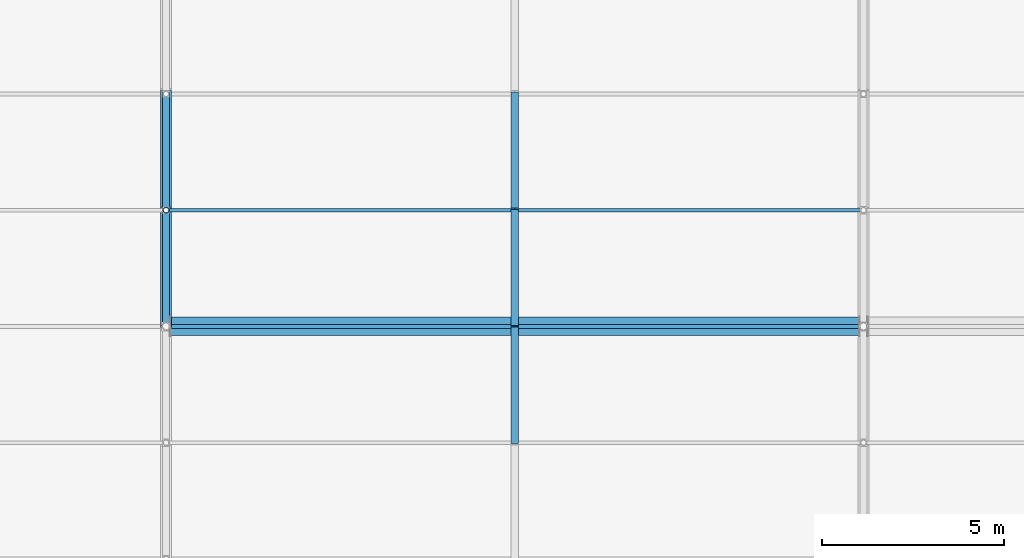
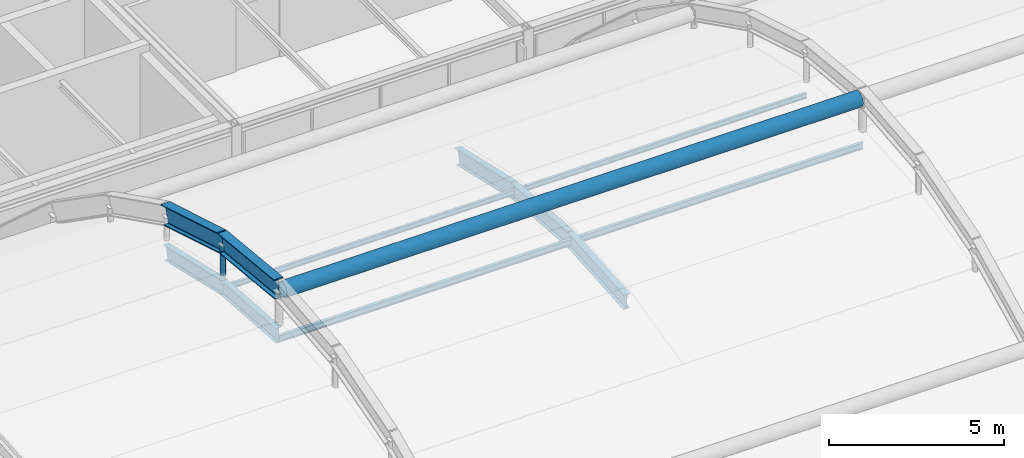
# One storey, part 44 of 126: 7 beams, 6 members.
"""IFC4 building model written with IfcOpenShell, lengths in metres."""

from ifc_helpers import new_model, si_unit, direction, frame, origin, origin_2d, place, context, subcontext, project, spatial, hollow_circle, i_section, extrude, material, material_profile, profile_set, type_object, element, save


model = new_model("IFC4")

# Units and contexts
model_context = context("Model", 3, precision=1e-05, world=origin(), true_north=direction((0.0, 1.0)))
body_context = subcontext(model_context, "Body", "Model", "MODEL_VIEW")
ifc_project = project(units=[si_unit("LENGTHUNIT", "METRE"), si_unit("AREAUNIT", "SQUARE_METRE"), si_unit("VOLUMEUNIT", "CUBIC_METRE"), si_unit("PLANEANGLEUNIT", "RADIAN"), si_unit("MASSUNIT", "GRAM", prefix="KILO")], contexts=[model_context])

# Site, building, storey
site_placement = place(None, origin())
site = spatial("IfcSite", under=ifc_project, at=site_placement, CompositionType="ELEMENT")
building_placement = place(site_placement, origin())
building = spatial("IfcBuilding", under=site, at=building_placement, Name="Coralgate Yard Interchange", CompositionType="ELEMENT")
storey_placement = place(building_placement, frame((0.0, 0.0, 10.5)))
storey = spatial("IfcBuildingStorey", under=building, at=storey_placement, Name="L02", CompositionType="ELEMENT", Elevation=10.5)

# Beams
ifc_material_1 = material(Name="Yellow-ochre weather-coated structural steel S355J2", Category="steel")
ifc_material_profile_1 = material_profile(ifc_material_1, i_section(OverallWidth=0.300048828125, OverallDepth=0.64990234375, WebThickness=0.01611328125, FlangeThickness=0.031005859375, FilletRadius=0.027099609375, at=origin_2d()), Name="HEB 650")
ifc_profile_set_1 = profile_set([ifc_material_profile_1], Name="Yellow-ochre weather-coated structural steel S355J2")
beam_type_1 = type_object("IfcBeamType", Name="BM-AR-1", PredefinedType="BEAM", material=ifc_profile_set_1)
beam_1_placement = place(storey_placement, frame((48.0, 57.60009765625, 13.199951171875), z_axis=(0.0, 0.995057464429, -0.099300767794), x_axis=(-1.0, 0.0, 0.0)))
element("IfcBeam", 1, at=beam_1_placement, inside=storey, type_object=beam_type_1, Name="Yellow-ochre overarching steel arch AR-1 chord 8", PredefinedType="BEAM", context=body_context, shape_type="SweptSolid", body=[
    extrude(i_section(OverallWidth=0.300048828125, OverallDepth=0.64990234375, WebThickness=0.01611328125, FlangeThickness=0.031005859375, FilletRadius=0.027099609375, at=origin_2d()), origin(), (0.0, 0.0, 1.0), 3.2158203125),
])
beam_2_placement = place(storey_placement, frame((48.0, 60.800048828125, 12.880615234375), z_axis=(0.0, 0.957948903279, -0.286938841403), x_axis=(-1.0, 0.0, 0.0)))
element("IfcBeam", 2, at=beam_2_placement, inside=storey, type_object=beam_type_1, Name="Yellow-ochre overarching steel arch AR-1 chord 9", PredefinedType="BEAM", context=body_context, shape_type="SweptSolid", body=[
    extrude(i_section(OverallWidth=0.300048828125, OverallDepth=0.64990234375, WebThickness=0.01611328125, FlangeThickness=0.031005859375, FilletRadius=0.027099609375, at=origin_2d()), origin(), (0.0, 0.0, 1.0), 3.34033203125),
])
ifc_material_2 = material(Name="Weather-coated structural steel S355J2", Category="steel")
ifc_material_profile_2 = material_profile(ifc_material_2, i_section(OverallWidth=0.209228515625, OverallDepth=0.533203125, WebThickness=0.010009765625, FlangeThickness=0.015625, FilletRadius=0.0126953125, at=origin_2d()), Name="UB 533x210x92")
ifc_profile_set_2 = profile_set([ifc_material_profile_2], Name="Weather-coated structural steel S355J2")
beam_type_2 = type_object("IfcBeamType", Name="BM-VR-1", PredefinedType="BEAM", material=ifc_profile_set_2)
beam_3_placement = place(storey_placement, frame((57.60009765625, 54.39990234375, 11.31884765625), z_axis=(0.0, 0.997211212266, 0.074631080198), x_axis=(-1.0, 0.0, 0.0)))
element("IfcBeam", 3, at=beam_3_placement, inside=storey, type_object=beam_type_2, Name="Barrel-vault gridshell rib 3 seg 6", PredefinedType="BEAM", context=body_context, shape_type="SweptSolid", body=[
    extrude(i_section(OverallWidth=0.209228515625, OverallDepth=0.533203125, WebThickness=0.010009765625, FlangeThickness=0.015625, FilletRadius=0.0126953125, at=origin_2d()), origin(), (0.0, 0.0, 1.0), 3.209228515625),
])
beam_4_placement = place(storey_placement, frame((57.60009765625, 57.60009765625, 11.558349609375), z_axis=(0.0, 0.997210788487, -0.074636742466), x_axis=(-1.0, 0.0, 0.0)))
element("IfcBeam", 4, at=beam_4_placement, inside=storey, type_object=beam_type_2, Name="Barrel-vault gridshell rib 3 seg 7", PredefinedType="BEAM", context=body_context, shape_type="SweptSolid", body=[
    extrude(i_section(OverallWidth=0.209228515625, OverallDepth=0.533203125, WebThickness=0.010009765625, FlangeThickness=0.015625, FilletRadius=0.0126953125, at=origin_2d()), origin(), (0.0, 0.0, 1.0), 3.208984375),
])
beam_5_placement = place(storey_placement, frame((57.60009765625, 60.800048828125, 11.31884765625), z_axis=(0.0, 0.974597563071, -0.223963367664), x_axis=(-1.0, 0.0, 0.0)))
element("IfcBeam", 5, at=beam_5_placement, inside=storey, type_object=beam_type_2, Name="Barrel-vault gridshell rib 3 seg 8", PredefinedType="BEAM", context=body_context, shape_type="SweptSolid", body=[
    extrude(i_section(OverallWidth=0.209228515625, OverallDepth=0.533203125, WebThickness=0.010009765625, FlangeThickness=0.015625, FilletRadius=0.0126953125, at=origin_2d()), origin(), (0.0, 0.0, 1.0), 3.283447265625),
])
ifc_material_profile_3 = material_profile(ifc_material_2, i_section(OverallWidth=0.199951171875, OverallDepth=0.5, WebThickness=0.01025390625, FlangeThickness=0.01611328125, FilletRadius=0.02099609375, at=origin_2d()), Name="IPE 500")
ifc_profile_set_3 = profile_set([ifc_material_profile_3], Name="Weather-coated structural steel S355J2")
beam_type_3 = type_object("IfcBeamType", Name="BM-VR-2", PredefinedType="BEAM", material=ifc_profile_set_3)
beam_6_placement = place(storey_placement, frame((48.0, 57.60009765625, 11.57470703125), z_axis=(0.0, 0.997210788487, -0.074636742466), x_axis=(-1.0, 0.0, 0.0)))
element("IfcBeam", 6, at=beam_6_placement, inside=storey, type_object=beam_type_3, Name="Barrel-vault gridshell rib 2 seg 7", PredefinedType="BEAM", context=body_context, shape_type="SweptSolid", body=[
    extrude(i_section(OverallWidth=0.199951171875, OverallDepth=0.5, WebThickness=0.01025390625, FlangeThickness=0.01611328125, FilletRadius=0.02099609375, at=origin_2d()), origin(), (0.0, 0.0, 1.0), 3.208984375),
])
beam_7_placement = place(storey_placement, frame((48.0, 60.800048828125, 11.335205078125), z_axis=(0.0, 0.974613791, -0.22389273859), x_axis=(-1.0, 0.0, 0.0)))
element("IfcBeam", 7, at=beam_7_placement, inside=storey, type_object=beam_type_3, Name="Barrel-vault gridshell rib 2 seg 8", PredefinedType="BEAM", context=body_context, shape_type="SweptSolid", body=[
    extrude(i_section(OverallWidth=0.199951171875, OverallDepth=0.5, WebThickness=0.01025390625, FlangeThickness=0.01611328125, FilletRadius=0.02099609375, at=origin_2d()), origin(), (0.0, 0.0, 1.0), 3.283203125),
])

# Members
ifc_material_profile_4 = material_profile(ifc_material_1, hollow_circle(Radius=0.25390625, WallThickness=0.02001953125, at=origin_2d()), Name="CHS 508x20")
ifc_profile_set_4 = profile_set([ifc_material_profile_4], Name="Yellow-ochre weather-coated structural steel S355J2")
member_type_1 = type_object("IfcMemberType", Name="MB-GC-6", PredefinedType="CHORD", material=ifc_profile_set_4)
member_1_placement = place(storey_placement, frame((48.1201171875, 57.60009765625, 13.1201171875), z_axis=(1.0, 0.0, 0.0), x_axis=(0.0, 1.0, 0.0)))
element("IfcMember", 8, at=member_1_placement, inside=storey, type_object=member_type_1, Name="Arch longitudinal tie strut 1-C", PredefinedType="CHORD", context=body_context, shape_type="SweptSolid", body=[
    extrude(hollow_circle(Radius=0.25390625, WallThickness=0.02001953125, at=origin_2d()), origin(), (0.0, 0.0, 1.0), 18.9599609375),
])
ifc_material_profile_5 = material_profile(ifc_material_1, hollow_circle(Radius=0.084228515625, WallThickness=0.008056640625, at=origin_2d()), Name="CHS 168.3x8")
ifc_profile_set_5 = profile_set([ifc_material_profile_5], Name="Yellow-ochre weather-coated structural steel S355J2")
member_type_2 = type_object("IfcMemberType", Name="MB-HG-2", PredefinedType="STRUT", material=ifc_profile_set_5)
member_2_placement = place(storey_placement, frame((48.0, 60.800048828125, 11.435302734375), z_axis=(0.0, 0.0, 1.0), x_axis=(1.0, 0.0, 0.0)))
element("IfcMember", 9, at=member_2_placement, inside=storey, type_object=member_type_2, Name="Arch AR-1 steel suspension hanger 7", PredefinedType="STRUT", context=body_context, shape_type="SweptSolid", body=[
    extrude(hollow_circle(Radius=0.084228515625, WallThickness=0.008056640625, at=origin_2d()), origin(), (0.0, 0.0, 1.0), 1.34521484375),
])
ifc_material_profile_6 = material_profile(ifc_material_2, i_section(OverallWidth=0.110107421875, OverallDepth=0.219970703125, WebThickness=0.005859375, FlangeThickness=0.00927734375, FilletRadius=0.011962890625, at=origin_2d()), Name="IPE 220")
ifc_profile_set_6 = profile_set([ifc_material_profile_6], Name="Weather-coated structural steel S355J2")
member_type_3 = type_object("IfcMemberType", Name="MB-PR-1", PredefinedType="PURLIN", material=ifc_profile_set_6)
for number, where, z_axis, x_axis, name in (
    (10, (48.001953125, 57.60009765625, 11.46484375), (1.0, 0.0, 0.0), (0.0, 1.0, 0.0), "Barrel-vault gridshell purlin 2-7"),
    (11, (57.60205078125, 57.60009765625, 11.46484375), (1.0, 0.0, 0.0), (0.0, 1.0, 0.0), "Barrel-vault gridshell purlin 3-7"),
):
    element("IfcMember", number, at=place(storey_placement, frame(where, z_axis=z_axis, x_axis=x_axis)), inside=storey, type_object=member_type_3, Name=name, PredefinedType="PURLIN", context=body_context, shape_type="SweptSolid", body=[
        extrude(i_section(OverallWidth=0.110107421875, OverallDepth=0.219970703125, WebThickness=0.005859375, FlangeThickness=0.00927734375, FilletRadius=0.011962890625, at=origin_2d()), origin(), (0.0, 0.0, 1.0), 9.595947265625),
    ])
ifc_material_3 = material(Name="Off-white architectural structural steel S355J2", Category="steel")
ifc_material_profile_7 = material_profile(ifc_material_3, i_section(OverallWidth=0.091064453125, OverallDepth=0.179931640625, WebThickness=0.00537109375, FlangeThickness=0.008056640625, FilletRadius=0.009033203125, at=origin_2d()), Name="IPE 180")
ifc_profile_set_7 = profile_set([ifc_material_profile_7], Name="Off-white architectural structural steel S355J2")
member_type_4 = type_object("IfcMemberType", Name="MB-PR-2", PredefinedType="PURLIN", material=ifc_profile_set_7)
for number, where, z_axis, x_axis, name in (
    (12, (48.001953125, 60.800048828125, 11.265380859375), (1.0, 0.0, 0.0), (0.0, 1.0, 0.0), "Barrel-vault gridshell purlin 2-8"),
    (13, (57.60205078125, 60.800048828125, 11.265380859375), (1.0, 0.0, 0.0), (0.0, 1.0, 0.0), "Barrel-vault gridshell purlin 3-8"),
):
    element("IfcMember", number, at=place(storey_placement, frame(where, z_axis=z_axis, x_axis=x_axis)), inside=storey, type_object=member_type_4, Name=name, PredefinedType="PURLIN", context=body_context, shape_type="SweptSolid", body=[
        extrude(i_section(OverallWidth=0.091064453125, OverallDepth=0.179931640625, WebThickness=0.00537109375, FlangeThickness=0.008056640625, FilletRadius=0.009033203125, at=origin_2d()), origin(), (0.0, 0.0, 1.0), 9.595947265625),
    ])

save(model, "model.ifc")
